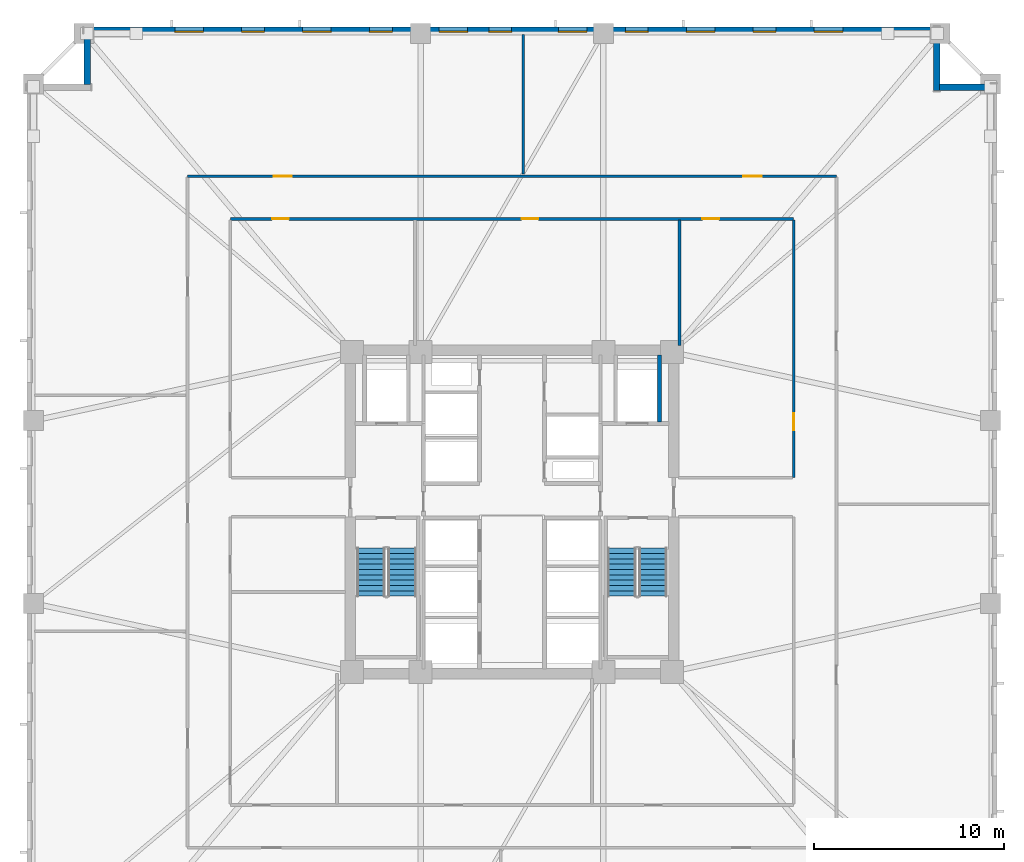
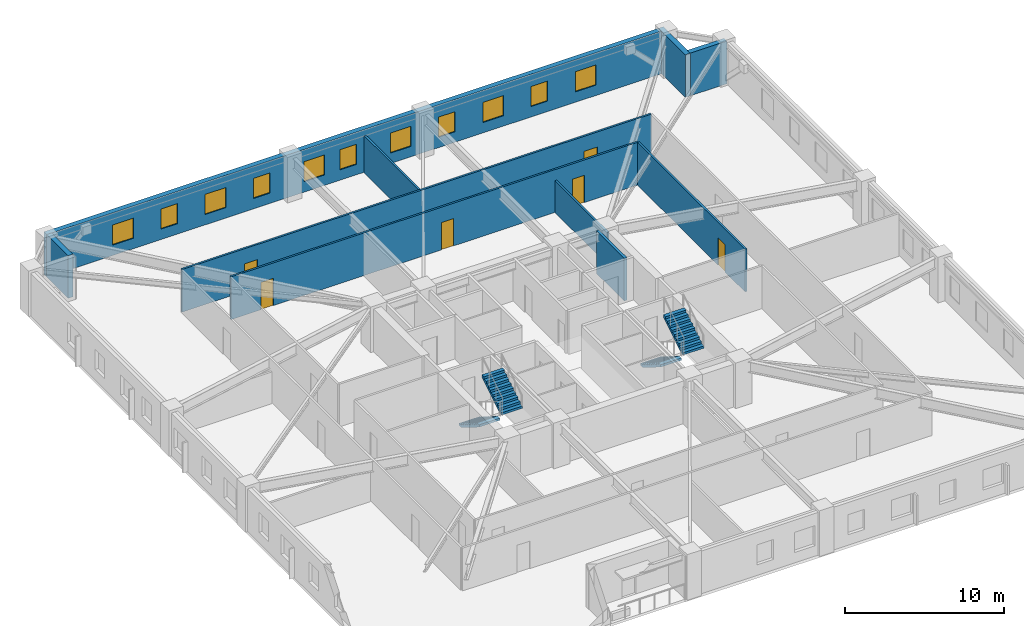
# One storey, part 5 of 10: 11 windows, 10 walls, 6 doors, 4 stair flights, 17 openings, 2 elements without a shape of their own.
"""IFC4 building model written with IfcOpenShell, lengths in metres."""

from ifc_helpers import new_model, si_unit, direction, frame, frame_2d, origin, place, context, subcontext, project, spatial, polyline, rectangle, outline, extrude, material, layer, layer_set, type_object, element, fill, aggregate, save


model = new_model("IFC4")

# Units and contexts
model_context = context("Model", 3, precision=1e-05, world=origin(), true_north=direction((0.0, 1.0)))
body_context = subcontext(model_context, "Body", "Model", "MODEL_VIEW")
ifc_project = project(units=[si_unit("LENGTHUNIT", "METRE"), si_unit("AREAUNIT", "SQUARE_METRE"), si_unit("VOLUMEUNIT", "CUBIC_METRE"), si_unit("PLANEANGLEUNIT", "RADIAN"), si_unit("MASSUNIT", "GRAM", prefix="KILO")], contexts=[model_context])

# Site, building, storey
site_placement = place(None, origin())
site = spatial("IfcSite", under=ifc_project, at=site_placement, CompositionType="ELEMENT")
building_placement = place(site_placement, origin())
building = spatial("IfcBuilding", under=site, at=building_placement, Name="Cairnveth Concourse Tower", CompositionType="ELEMENT")
storey_placement = place(building_placement, frame((0.0, 0.0, 30.5)))
storey = spatial("IfcBuildingStorey", under=building, at=storey_placement, Name="L07", CompositionType="ELEMENT", Elevation=30.5)

# Wall
ifc_material_1 = material(Name="Concrete N50 (50 MPa)", Category="concrete")
ifc_layer_1 = layer(ifc_material_1, 0.199951171875)
ifc_layer_set_1 = layer_set([ifc_layer_1], Name="Concrete N50 (50 MPa)")
wall_type_1 = type_object("IfcWallType", Name="FIRE SHAFT WALL 200", PredefinedType="SOLIDWALL", material=ifc_layer_set_1)
wall_1_placement = place(storey_placement, frame((59.75, 43.735107421875, 0.0), z_axis=(0.0, 0.0, 1.0), x_axis=(0.0, 1.0, 0.0)))
element("IfcWall", 1, at=wall_1_placement, inside=storey, type_object=wall_type_1, Name="Interior Wall IW-L07-024", PredefinedType="SOLIDWALL", context=body_context, shape_type="SweptSolid", body=[
    extrude(rectangle(XDim=3.5048828125, YDim=0.199951171875, at=frame_2d((1.75244140625, 0.0))), origin(), (0.0, 0.0, 1.0), 3.280029296875),
])

# Wall, openings, doors
ifc_material_2 = material(Name="Gypsum Plasterboard Partition", Category="gypsum")
ifc_layer_2 = layer(ifc_material_2, 0.139892578125)
ifc_layer_set_2 = layer_set([ifc_layer_2], Name="Gypsum Plasterboard Partition")
wall_type_2 = type_object("IfcWallType", Name="GYPSUM STUD PARTITION 140", PredefinedType="PARTITIONING", material=ifc_layer_set_2)
wall_2_placement = place(storey_placement, frame((34.949951171875, 56.64990234375, 0.0), z_axis=(0.0, 0.0, 1.0), x_axis=(1.0, 0.0, 0.0)))
wall_2 = element("IfcWall", 2, at=wall_2_placement, inside=storey, type_object=wall_type_2, Name="Interior Wall IW-L07-038", PredefinedType="PARTITIONING", context=body_context, shape_type="SweptSolid", body=[
    extrude(rectangle(XDim=34.10009765625, YDim=0.139892578125, at=frame_2d((17.050048828125, 0.0))), origin(), (0.0, 0.0, 1.0), 3.280029296875),
])
opening_1_placement = place(wall_2_placement, frame((4.5224609375, 0.0, 0.0)))
opening_1 = element("IfcOpeningElement", 3, at=opening_1_placement, cuts=wall_2, Name="Opening ID11", PredefinedType="OPENING", context=body_context, shape_type="SweptSolid", body=[
    extrude(rectangle(XDim=0.9599609375, YDim=2.1201171875, at=frame_2d((0.47998046875, 1.06005859375))), frame((0.0, 0.079833984375, 0.0), z_axis=(0.0, -1.0, 0.0), x_axis=(1.0, 0.0, 0.0)), (0.0, 0.0, 1.0), 0.159912109375),
])
opening_2_placement = place(wall_2_placement, frame((29.202392578125, 0.0, 0.0)))
opening_2 = element("IfcOpeningElement", 4, at=opening_2_placement, cuts=wall_2, Name="Opening ID11", PredefinedType="OPENING", context=body_context, shape_type="SweptSolid", body=[
    extrude(rectangle(XDim=0.9599609375, YDim=2.1201171875, at=frame_2d((0.47998046875, 1.06005859375))), frame((0.0, 0.079833984375, 0.0), z_axis=(0.0, -1.0, 0.0), x_axis=(1.0, 0.0, 0.0)), (0.0, 0.0, 1.0), 0.159912109375),
])
ifc_material_3 = material(Name="Solid Core Hardwood Timber Leaf", Category="wood")
door_type_1 = type_object("IfcDoorType", Name="INTERIOR SINGLE DOOR 960X2150", OperationType="NOTDEFINED", PredefinedType="DOOR", material=ifc_material_3)
door_1_placement = place(opening_1_placement, origin())
door_1 = element("IfcDoor", 5, at=door_1_placement, inside=storey, type_object=door_type_1, Name="Office Door L07-N1", OperationType="SINGLE_SWING_RIGHT", OverallHeight=2.1201171875, OverallWidth=0.9599609375, PredefinedType="DOOR", context=body_context, shape_type="SweptSolid", body=[
    extrude(rectangle(XDim=0.9599609375, YDim=2.1201171875, at=frame_2d((0.47998046875, 1.06005859375))), frame((0.0, 0.02490234375, 0.0), z_axis=(0.0, -1.0, 0.0), x_axis=(1.0, 0.0, 0.0)), (0.0, 0.0, 1.0), 0.050048828125),
])
fill(opening_1, door_1)
door_2_placement = place(opening_2_placement, origin())
door_2 = element("IfcDoor", 6, at=door_2_placement, inside=storey, type_object=door_type_1, Name="Office Door L07-N2", OperationType="SINGLE_SWING_LEFT", OverallHeight=2.1201171875, OverallWidth=0.9599609375, PredefinedType="DOOR", context=body_context, shape_type="SweptSolid", body=[
    extrude(rectangle(XDim=0.9599609375, YDim=2.1201171875, at=frame_2d((0.47998046875, 1.06005859375))), frame((0.0, 0.02490234375, 0.0), z_axis=(0.0, -1.0, 0.0), x_axis=(1.0, 0.0, 0.0)), (0.0, 0.0, 1.0), 0.050048828125),
])
fill(opening_2, door_2)

wall_3_placement = place(storey_placement, frame((37.199951171875, 54.39990234375, 0.0), z_axis=(0.0, 0.0, 1.0), x_axis=(1.0, 0.0, 0.0)))
wall_3 = element("IfcWall", 7, at=wall_3_placement, inside=storey, type_object=wall_type_2, Name="Interior Wall IW-L07-042", PredefinedType="PARTITIONING", context=body_context, shape_type="SweptSolid", body=[
    extrude(rectangle(XDim=29.60009765625, YDim=0.139892578125, at=frame_2d((14.800048828125, 0.0))), origin(), (0.0, 0.0, 1.0), 3.280029296875),
])
opening_3_placement = place(wall_3_placement, frame((2.199951171875, 0.0, 0.0)))
opening_3 = element("IfcOpeningElement", 8, at=opening_3_placement, cuts=wall_3, Name="Opening ID18", PredefinedType="OPENING", context=body_context, shape_type="SweptSolid", body=[
    extrude(rectangle(XDim=0.8798828125, YDim=2.10009765625, at=frame_2d((0.43994140625, 1.050048828125))), frame((0.0, 0.079833984375, 0.0), z_axis=(0.0, -1.0, 0.0), x_axis=(1.0, 0.0, 0.0)), (0.0, 0.0, 1.0), 0.159912109375),
])
opening_4_placement = place(wall_3_placement, frame((15.300048828125, 0.0, 0.0)))
opening_4 = element("IfcOpeningElement", 9, at=opening_4_placement, cuts=wall_3, Name="Opening ID18", PredefinedType="OPENING", context=body_context, shape_type="SweptSolid", body=[
    extrude(rectangle(XDim=0.8798828125, YDim=2.10009765625, at=frame_2d((0.43994140625, 1.050048828125))), frame((0.0, 0.079833984375, 0.0), z_axis=(0.0, -1.0, 0.0), x_axis=(1.0, 0.0, 0.0)), (0.0, 0.0, 1.0), 0.159912109375),
])
opening_5_placement = place(wall_3_placement, frame((24.800048828125, 0.0, 0.0)))
opening_5 = element("IfcOpeningElement", 10, at=opening_5_placement, cuts=wall_3, Name="Opening ID18", PredefinedType="OPENING", context=body_context, shape_type="SweptSolid", body=[
    extrude(rectangle(XDim=0.8798828125, YDim=2.10009765625, at=frame_2d((0.43994140625, 1.050048828125))), frame((0.0, 0.079833984375, 0.0), z_axis=(0.0, -1.0, 0.0), x_axis=(1.0, 0.0, 0.0)), (0.0, 0.0, 1.0), 0.159912109375),
])
door_type_2 = type_object("IfcDoorType", Name="INTERIOR SINGLE DOOR 880X2100", OperationType="NOTDEFINED", PredefinedType="DOOR", material=ifc_material_3)
door_3_placement = place(opening_3_placement, origin())
door_3 = element("IfcDoor", 11, at=door_3_placement, inside=storey, type_object=door_type_2, Name="Interior Door DR-L07-016", OperationType="SINGLE_SWING_RIGHT", OverallHeight=2.10009765625, OverallWidth=0.8798828125, PredefinedType="DOOR", context=body_context, shape_type="SweptSolid", body=[
    extrude(rectangle(XDim=0.8798828125, YDim=2.10009765625, at=frame_2d((0.43994140625, 1.050048828125))), frame((0.0, 0.02490234375, 0.0), z_axis=(0.0, -1.0, 0.0), x_axis=(1.0, 0.0, 0.0)), (0.0, 0.0, 1.0), 0.050048828125),
])
fill(opening_3, door_3)
door_4_placement = place(opening_4_placement, origin())
door_4 = element("IfcDoor", 12, at=door_4_placement, inside=storey, type_object=door_type_2, Name="Interior Door DR-L07-017", OperationType="SINGLE_SWING_LEFT", OverallHeight=2.10009765625, OverallWidth=0.8798828125, PredefinedType="DOOR", context=body_context, shape_type="SweptSolid", body=[
    extrude(rectangle(XDim=0.8798828125, YDim=2.10009765625, at=frame_2d((0.43994140625, 1.050048828125))), frame((0.0, 0.02490234375, 0.0), z_axis=(0.0, -1.0, 0.0), x_axis=(1.0, 0.0, 0.0)), (0.0, 0.0, 1.0), 0.050048828125),
])
fill(opening_4, door_4)
door_5_placement = place(opening_5_placement, origin())
door_5 = element("IfcDoor", 13, at=door_5_placement, inside=storey, type_object=door_type_2, Name="Interior Door DR-L07-018", OperationType="SINGLE_SWING_RIGHT", OverallHeight=2.10009765625, OverallWidth=0.8798828125, PredefinedType="DOOR", context=body_context, shape_type="SweptSolid", body=[
    extrude(rectangle(XDim=0.8798828125, YDim=2.10009765625, at=frame_2d((0.43994140625, 1.050048828125))), frame((0.0, 0.02490234375, 0.0), z_axis=(0.0, -1.0, 0.0), x_axis=(1.0, 0.0, 0.0)), (0.0, 0.0, 1.0), 0.050048828125),
])
fill(opening_5, door_5)

# Wall, opening, door
wall_4_placement = place(storey_placement, frame((66.800048828125, 40.800048828125, 0.0), z_axis=(0.0, 0.0, 1.0), x_axis=(0.0, 1.0, 0.0)))
wall_4 = element("IfcWall", 14, at=wall_4_placement, inside=storey, type_object=wall_type_2, Name="Interior Wall IW-L07-048", PredefinedType="PARTITIONING", context=body_context, shape_type="SweptSolid", body=[
    extrude(rectangle(XDim=13.544921875, YDim=0.139892578125, at=frame_2d((6.7724609375, 0.0))), origin(), (0.0, 0.0, 1.0), 3.280029296875),
])
opening_6_placement = place(wall_4_placement, frame((2.5, 0.0, 0.0)))
opening_6 = element("IfcOpeningElement", 15, at=opening_6_placement, cuts=wall_4, Name="Opening ID18", PredefinedType="OPENING", context=body_context, shape_type="SweptSolid", body=[
    extrude(rectangle(XDim=0.8798828125, YDim=2.10009765625, at=frame_2d((0.43994140625, 1.050048828125))), frame((0.0, 0.079833984375, 0.0), z_axis=(0.0, -1.0, 0.0), x_axis=(1.0, 0.0, 0.0)), (0.0, 0.0, 1.0), 0.159912109375),
])
door_6_placement = place(opening_6_placement, origin())
door_6 = element("IfcDoor", 16, at=door_6_placement, inside=storey, type_object=door_type_2, Name="Interior Door DR-L07-023", OperationType="SINGLE_SWING_LEFT", OverallHeight=2.10009765625, OverallWidth=0.8798828125, PredefinedType="DOOR", context=body_context, shape_type="SweptSolid", body=[
    extrude(rectangle(XDim=0.8798828125, YDim=2.10009765625, at=frame_2d((0.43994140625, 1.050048828125))), frame((0.0, 0.02490234375, 0.0), z_axis=(0.0, -1.0, 0.0), x_axis=(1.0, 0.0, 0.0)), (0.0, 0.0, 1.0), 0.050048828125),
])
fill(opening_6, door_6)

# Walls
wall_5_placement = place(storey_placement, frame((60.800048828125, 47.760009765625, 0.0), z_axis=(0.0, 0.0, 1.0), x_axis=(0.0, 1.0, 0.0)))
element("IfcWall", 17, at=wall_5_placement, inside=storey, type_object=wall_type_2, Name="Interior Wall IW-L07-054", PredefinedType="PARTITIONING", context=body_context, shape_type="SweptSolid", body=[
    extrude(rectangle(XDim=6.5849609375, YDim=0.139892578125, at=frame_2d((3.29248046875, 0.0))), origin(), (0.0, 0.0, 1.0), 2.43896484375),
])
wall_6_placement = place(storey_placement, frame((52.5849609375, 56.75, 0.0), z_axis=(0.0, 0.0, 1.0), x_axis=(0.0, 1.0, 0.0)))
element("IfcWall", 18, at=wall_6_placement, inside=storey, type_object=wall_type_2, Name="Interior Wall IW-L07-057", PredefinedType="PARTITIONING", context=body_context, shape_type="SweptSolid", body=[
    extrude(rectangle(XDim=7.330078125, YDim=0.139892578125, at=frame_2d((3.6650390625, 0.0))), origin(), (0.0, 0.0, 1.0), 2.84912109375),
])
ifc_material_4 = material(Name="Hawthorn Red-Ochre Fired Clay Brick Masonry", Category="masonry")
ifc_layer_3 = layer(ifc_material_4, 0.360107421875)
ifc_layer_set_3 = layer_set([ifc_layer_3], Name="Hawthorn Red-Ochre Fired Clay Brick Masonry")
wall_type_3 = type_object("IfcWallType", Name="ZONE 1 BRICK PIER SPANDREL WALL 360", PredefinedType="SOLIDWALL", material=ifc_layer_set_3)
wall_7_placement = place(storey_placement, frame((29.679931640625, 61.47802734375, 0.0), z_axis=(0.0, 0.0, 1.0), x_axis=(0.0, 1.0, 0.0)))
element("IfcWall", 19, at=wall_7_placement, inside=storey, type_object=wall_type_3, Name="Exterior Wall EW-L07-S05", PredefinedType="SOLIDWALL", context=body_context, shape_type="SweptSolid", body=[
    extrude(rectangle(XDim=2.68408203125, YDim=0.360107421875, at=frame_2d((1.342041015625, 0.0))), origin(), (0.0, 0.0, 1.0), 3.280029296875),
])

# Wall, openings, windows
wall_8_placement = place(storey_placement, frame((29.5, 64.320068359375, 0.0), z_axis=(0.0, 0.0, 1.0), x_axis=(1.0, 0.0, 0.0)))
wall_8 = element("IfcWall", 20, at=wall_8_placement, inside=storey, type_object=wall_type_3, Name="Exterior Wall EW-L07-S06", PredefinedType="SOLIDWALL", context=body_context, shape_type="SweptSolid", body=[
    extrude(rectangle(XDim=44.662109375, YDim=0.360107421875, at=frame_2d((22.3310546875, 0.0))), origin(), (0.0, 0.0, 1.0), 3.280029296875),
])
opening_7_placement = place(wall_8_placement, frame((4.780029296875, 0.0, 0.800048828125)))
opening_7 = element("IfcOpeningElement", 21, at=opening_7_placement, cuts=wall_8, Name="Opening W03", PredefinedType="OPENING", context=body_context, shape_type="SweptSolid", body=[
    extrude(rectangle(XDim=1.5, YDim=1.5439453125, at=frame_2d((0.75, 0.77197265625))), frame((0.0, 0.18994140625, 0.0), z_axis=(0.0, -1.0, 0.0), x_axis=(1.0, 0.0, 0.0)), (0.0, 0.0, 1.0), 0.380126953125),
])
opening_8_placement = place(wall_8_placement, frame((8.290283203125, 0.0, 0.800048828125)))
opening_8 = element("IfcOpeningElement", 22, at=opening_8_placement, cuts=wall_8, Name="Opening W01", PredefinedType="OPENING", context=body_context, shape_type="SweptSolid", body=[
    extrude(rectangle(XDim=1.199951171875, YDim=1.5439453125, at=frame_2d((0.60009765625, 0.77197265625))), frame((0.0, 0.18994140625, 0.0), z_axis=(0.0, -1.0, 0.0), x_axis=(1.0, 0.0, 0.0)), (0.0, 0.0, 1.0), 0.380126953125),
])
opening_9_placement = place(wall_8_placement, frame((11.50048828125, 0.0, 0.800048828125)))
opening_9 = element("IfcOpeningElement", 23, at=opening_9_placement, cuts=wall_8, Name="Opening W03", PredefinedType="OPENING", context=body_context, shape_type="SweptSolid", body=[
    extrude(rectangle(XDim=1.5, YDim=1.5439453125, at=frame_2d((0.75, 0.77197265625))), frame((0.0, 0.18994140625, 0.0), z_axis=(0.0, -1.0, 0.0), x_axis=(1.0, 0.0, 0.0)), (0.0, 0.0, 1.0), 0.380126953125),
])
opening_10_placement = place(wall_8_placement, frame((15.010498046875, 0.0, 0.800048828125)))
opening_10 = element("IfcOpeningElement", 24, at=opening_10_placement, cuts=wall_8, Name="Opening W01", PredefinedType="OPENING", context=body_context, shape_type="SweptSolid", body=[
    extrude(rectangle(XDim=1.199951171875, YDim=1.5439453125, at=frame_2d((0.60009765625, 0.77197265625))), frame((0.0, 0.18994140625, 0.0), z_axis=(0.0, -1.0, 0.0), x_axis=(1.0, 0.0, 0.0)), (0.0, 0.0, 1.0), 0.380126953125),
])
opening_11_placement = place(wall_8_placement, frame((18.6708984375, 0.0, 0.800048828125)))
opening_11 = element("IfcOpeningElement", 25, at=opening_11_placement, cuts=wall_8, Name="Opening W03", PredefinedType="OPENING", context=body_context, shape_type="SweptSolid", body=[
    extrude(rectangle(XDim=1.5, YDim=1.5439453125, at=frame_2d((0.75, 0.77197265625))), frame((0.0, 0.18994140625, 0.0), z_axis=(0.0, -1.0, 0.0), x_axis=(1.0, 0.0, 0.0)), (0.0, 0.0, 1.0), 0.380126953125),
])
opening_12_placement = place(wall_8_placement, frame((21.281005859375, 0.0, 0.800048828125)))
opening_12 = element("IfcOpeningElement", 26, at=opening_12_placement, cuts=wall_8, Name="Opening W01", PredefinedType="OPENING", context=body_context, shape_type="SweptSolid", body=[
    extrude(rectangle(XDim=1.199951171875, YDim=1.5439453125, at=frame_2d((0.60009765625, 0.77197265625))), frame((0.0, 0.18994140625, 0.0), z_axis=(0.0, -1.0, 0.0), x_axis=(1.0, 0.0, 0.0)), (0.0, 0.0, 1.0), 0.380126953125),
])
opening_13_placement = place(wall_8_placement, frame((24.941162109375, 0.0, 0.800048828125)))
opening_13 = element("IfcOpeningElement", 27, at=opening_13_placement, cuts=wall_8, Name="Opening W03", PredefinedType="OPENING", context=body_context, shape_type="SweptSolid", body=[
    extrude(rectangle(XDim=1.5, YDim=1.5439453125, at=frame_2d((0.75, 0.77197265625))), frame((0.0, 0.18994140625, 0.0), z_axis=(0.0, -1.0, 0.0), x_axis=(1.0, 0.0, 0.0)), (0.0, 0.0, 1.0), 0.380126953125),
])
opening_14_placement = place(wall_8_placement, frame((28.451416015625, 0.0, 0.800048828125)))
opening_14 = element("IfcOpeningElement", 28, at=opening_14_placement, cuts=wall_8, Name="Opening W01", PredefinedType="OPENING", context=body_context, shape_type="SweptSolid", body=[
    extrude(rectangle(XDim=1.199951171875, YDim=1.5439453125, at=frame_2d((0.60009765625, 0.77197265625))), frame((0.0, 0.18994140625, 0.0), z_axis=(0.0, -1.0, 0.0), x_axis=(1.0, 0.0, 0.0)), (0.0, 0.0, 1.0), 0.380126953125),
])
opening_15_placement = place(wall_8_placement, frame((31.66162109375, 0.0, 0.800048828125)))
opening_15 = element("IfcOpeningElement", 29, at=opening_15_placement, cuts=wall_8, Name="Opening W03", PredefinedType="OPENING", context=body_context, shape_type="SweptSolid", body=[
    extrude(rectangle(XDim=1.5, YDim=1.5439453125, at=frame_2d((0.75, 0.77197265625))), frame((0.0, 0.18994140625, 0.0), z_axis=(0.0, -1.0, 0.0), x_axis=(1.0, 0.0, 0.0)), (0.0, 0.0, 1.0), 0.380126953125),
])
opening_16_placement = place(wall_8_placement, frame((35.171630859375, 0.0, 0.800048828125)))
opening_16 = element("IfcOpeningElement", 30, at=opening_16_placement, cuts=wall_8, Name="Opening W01", PredefinedType="OPENING", context=body_context, shape_type="SweptSolid", body=[
    extrude(rectangle(XDim=1.199951171875, YDim=1.5439453125, at=frame_2d((0.60009765625, 0.77197265625))), frame((0.0, 0.18994140625, 0.0), z_axis=(0.0, -1.0, 0.0), x_axis=(1.0, 0.0, 0.0)), (0.0, 0.0, 1.0), 0.380126953125),
])
opening_17_placement = place(wall_8_placement, frame((38.3818359375, 0.0, 0.800048828125)))
opening_17 = element("IfcOpeningElement", 31, at=opening_17_placement, cuts=wall_8, Name="Opening W03", PredefinedType="OPENING", context=body_context, shape_type="SweptSolid", body=[
    extrude(rectangle(XDim=1.5, YDim=1.5439453125, at=frame_2d((0.75, 0.77197265625))), frame((0.0, 0.18994140625, 0.0), z_axis=(0.0, -1.0, 0.0), x_axis=(1.0, 0.0, 0.0)), (0.0, 0.0, 1.0), 0.380126953125),
])
ifc_material_5 = material(Name="Double Glazed Low-E Clear Glass", Category="glass")
window_type_1 = type_object("IfcWindowType", Name="DEEP-SET GOTHIC LANCET WINDOW 1200X1800", PartitioningType="DOUBLE_PANEL_VERTICAL", PredefinedType="WINDOW", material=ifc_material_5)
window_1_placement = place(opening_8_placement, origin())
window_1 = element("IfcWindow", 32, at=window_1_placement, inside=storey, type_object=window_type_1, Name="Gothic Lancet Window L07-6-2", OverallHeight=1.5439453125, OverallWidth=1.199951171875, PartitioningType="SINGLE_PANEL", PredefinedType="WINDOW", context=body_context, shape_type="SweptSolid", body=[
    extrude(rectangle(XDim=1.199951171875, YDim=1.5439453125, at=frame_2d((0.60009765625, 0.77197265625))), frame((0.0, -0.050048828125, 0.0), z_axis=(0.0, -1.0, 0.0), x_axis=(1.0, 0.0, 0.0)), (0.0, 0.0, 1.0), 0.06005859375),
])
fill(opening_8, window_1)
window_2_placement = place(opening_10_placement, origin())
window_2 = element("IfcWindow", 33, at=window_2_placement, inside=storey, type_object=window_type_1, Name="Gothic Lancet Window L07-6-4", OverallHeight=1.5439453125, OverallWidth=1.199951171875, PartitioningType="SINGLE_PANEL", PredefinedType="WINDOW", context=body_context, shape_type="SweptSolid", body=[
    extrude(rectangle(XDim=1.199951171875, YDim=1.5439453125, at=frame_2d((0.60009765625, 0.77197265625))), frame((0.0, -0.050048828125, 0.0), z_axis=(0.0, -1.0, 0.0), x_axis=(1.0, 0.0, 0.0)), (0.0, 0.0, 1.0), 0.06005859375),
])
fill(opening_10, window_2)
window_3_placement = place(opening_12_placement, origin())
window_3 = element("IfcWindow", 34, at=window_3_placement, inside=storey, type_object=window_type_1, Name="Gothic Lancet Window L07-6-6", OverallHeight=1.5439453125, OverallWidth=1.199951171875, PartitioningType="SINGLE_PANEL", PredefinedType="WINDOW", context=body_context, shape_type="SweptSolid", body=[
    extrude(rectangle(XDim=1.199951171875, YDim=1.5439453125, at=frame_2d((0.60009765625, 0.77197265625))), frame((0.0, -0.050048828125, 0.0), z_axis=(0.0, -1.0, 0.0), x_axis=(1.0, 0.0, 0.0)), (0.0, 0.0, 1.0), 0.06005859375),
])
fill(opening_12, window_3)
window_4_placement = place(opening_14_placement, origin())
window_4 = element("IfcWindow", 35, at=window_4_placement, inside=storey, type_object=window_type_1, Name="Gothic Lancet Window L07-6-8", OverallHeight=1.5439453125, OverallWidth=1.199951171875, PartitioningType="SINGLE_PANEL", PredefinedType="WINDOW", context=body_context, shape_type="SweptSolid", body=[
    extrude(rectangle(XDim=1.199951171875, YDim=1.5439453125, at=frame_2d((0.60009765625, 0.77197265625))), frame((0.0, -0.050048828125, 0.0), z_axis=(0.0, -1.0, 0.0), x_axis=(1.0, 0.0, 0.0)), (0.0, 0.0, 1.0), 0.06005859375),
])
fill(opening_14, window_4)
window_5_placement = place(opening_16_placement, origin())
window_5 = element("IfcWindow", 36, at=window_5_placement, inside=storey, type_object=window_type_1, Name="Gothic Lancet Window L07-6-10", OverallHeight=1.5439453125, OverallWidth=1.199951171875, PartitioningType="SINGLE_PANEL", PredefinedType="WINDOW", context=body_context, shape_type="SweptSolid", body=[
    extrude(rectangle(XDim=1.199951171875, YDim=1.5439453125, at=frame_2d((0.60009765625, 0.77197265625))), frame((0.0, -0.050048828125, 0.0), z_axis=(0.0, -1.0, 0.0), x_axis=(1.0, 0.0, 0.0)), (0.0, 0.0, 1.0), 0.06005859375),
])
fill(opening_16, window_5)
window_type_2 = type_object("IfcWindowType", Name="DEEP-SET GOTHIC LANCET WINDOW 1500X1800", PartitioningType="DOUBLE_PANEL_VERTICAL", PredefinedType="WINDOW", material=ifc_material_5)
window_6_placement = place(opening_7_placement, origin())
window_6 = element("IfcWindow", 37, at=window_6_placement, inside=storey, type_object=window_type_2, Name="Gothic Lancet Window L07-6-1", OverallHeight=1.5439453125, OverallWidth=1.5, PartitioningType="SINGLE_PANEL", PredefinedType="WINDOW", context=body_context, shape_type="SweptSolid", body=[
    extrude(rectangle(XDim=1.5, YDim=1.5439453125, at=frame_2d((0.75, 0.77197265625))), frame((0.0, -0.050048828125, 0.0), z_axis=(0.0, -1.0, 0.0), x_axis=(1.0, 0.0, 0.0)), (0.0, 0.0, 1.0), 0.06005859375),
])
fill(opening_7, window_6)
window_7_placement = place(opening_9_placement, origin())
window_7 = element("IfcWindow", 38, at=window_7_placement, inside=storey, type_object=window_type_2, Name="Gothic Lancet Window L07-6-3", OverallHeight=1.5439453125, OverallWidth=1.5, PartitioningType="SINGLE_PANEL", PredefinedType="WINDOW", context=body_context, shape_type="SweptSolid", body=[
    extrude(rectangle(XDim=1.5, YDim=1.5439453125, at=frame_2d((0.75, 0.77197265625))), frame((0.0, -0.050048828125, 0.0), z_axis=(0.0, -1.0, 0.0), x_axis=(1.0, 0.0, 0.0)), (0.0, 0.0, 1.0), 0.06005859375),
])
fill(opening_9, window_7)
window_8_placement = place(opening_11_placement, origin())
window_8 = element("IfcWindow", 39, at=window_8_placement, inside=storey, type_object=window_type_2, Name="Gothic Lancet Window L07-6-5", OverallHeight=1.5439453125, OverallWidth=1.5, PartitioningType="SINGLE_PANEL", PredefinedType="WINDOW", context=body_context, shape_type="SweptSolid", body=[
    extrude(rectangle(XDim=1.5, YDim=1.5439453125, at=frame_2d((0.75, 0.77197265625))), frame((0.0, -0.050048828125, 0.0), z_axis=(0.0, -1.0, 0.0), x_axis=(1.0, 0.0, 0.0)), (0.0, 0.0, 1.0), 0.06005859375),
])
fill(opening_11, window_8)
window_9_placement = place(opening_13_placement, origin())
window_9 = element("IfcWindow", 40, at=window_9_placement, inside=storey, type_object=window_type_2, Name="Gothic Lancet Window L07-6-7", OverallHeight=1.5439453125, OverallWidth=1.5, PartitioningType="SINGLE_PANEL", PredefinedType="WINDOW", context=body_context, shape_type="SweptSolid", body=[
    extrude(rectangle(XDim=1.5, YDim=1.5439453125, at=frame_2d((0.75, 0.77197265625))), frame((0.0, -0.050048828125, 0.0), z_axis=(0.0, -1.0, 0.0), x_axis=(1.0, 0.0, 0.0)), (0.0, 0.0, 1.0), 0.06005859375),
])
fill(opening_13, window_9)
window_10_placement = place(opening_15_placement, origin())
window_10 = element("IfcWindow", 41, at=window_10_placement, inside=storey, type_object=window_type_2, Name="Gothic Lancet Window L07-6-9", OverallHeight=1.5439453125, OverallWidth=1.5, PartitioningType="SINGLE_PANEL", PredefinedType="WINDOW", context=body_context, shape_type="SweptSolid", body=[
    extrude(rectangle(XDim=1.5, YDim=1.5439453125, at=frame_2d((0.75, 0.77197265625))), frame((0.0, -0.050048828125, 0.0), z_axis=(0.0, -1.0, 0.0), x_axis=(1.0, 0.0, 0.0)), (0.0, 0.0, 1.0), 0.06005859375),
])
fill(opening_15, window_10)
window_11_placement = place(opening_17_placement, origin())
window_11 = element("IfcWindow", 42, at=window_11_placement, inside=storey, type_object=window_type_2, Name="Gothic Lancet Window L07-6-11", OverallHeight=1.5439453125, OverallWidth=1.5, PartitioningType="SINGLE_PANEL", PredefinedType="WINDOW", context=body_context, shape_type="SweptSolid", body=[
    extrude(rectangle(XDim=1.5, YDim=1.5439453125, at=frame_2d((0.75, 0.77197265625))), frame((0.0, -0.050048828125, 0.0), z_axis=(0.0, -1.0, 0.0), x_axis=(1.0, 0.0, 0.0)), (0.0, 0.0, 1.0), 0.06005859375),
])
fill(opening_17, window_11)

# Walls
wall_9_placement = place(storey_placement, frame((74.320068359375, 64.5, 0.0), z_axis=(0.0, 0.0, 1.0), x_axis=(0.0, -1.0, 0.0)))
element("IfcWall", 43, at=wall_9_placement, inside=storey, type_object=wall_type_3, Name="Exterior Wall EW-L07-S07", PredefinedType="SOLIDWALL", context=body_context, shape_type="SweptSolid", body=[
    extrude(rectangle(XDim=3.360107421875, YDim=0.360107421875, at=frame_2d((1.68017578125, 0.0))), origin(), (0.0, 0.0, 1.0), 3.280029296875),
])
wall_10_placement = place(storey_placement, frame((74.47802734375, 61.320068359375, 0.0), z_axis=(0.0, 0.0, 1.0), x_axis=(1.0, 0.0, 0.0)))
element("IfcWall", 44, at=wall_10_placement, inside=storey, type_object=wall_type_3, Name="Exterior Wall EW-L07-S08", PredefinedType="SOLIDWALL", context=body_context, shape_type="SweptSolid", body=[
    extrude(rectangle(XDim=2.68408203125, YDim=0.360107421875, at=frame_2d((1.342041015625, 0.0))), origin(), (0.0, 0.0, 1.0), 3.280029296875),
])

# Stair, stair flights
ifc_material_6 = material(Name="Precast concrete N50 (50 MPa)", Category="concrete")
stair_type = type_object("IfcStairType", Name="CORE DOG-LEG FIRE STAIR 1500", PredefinedType="HALF_TURN_STAIR", material=ifc_material_6)
stair_1_placement = place(storey_placement, origin())
stair_1 = element("IfcStair", 45, at=stair_1_placement, inside=storey, type_object=stair_type, Name="L07 Fire-Isolated Stair ST-1", PredefinedType="HALF_TURN_STAIR")
stair_flight_type = type_object("IfcStairFlightType", Name="PRECAST CONCRETE STAIR FLIGHT 1500", PredefinedType="STRAIGHT", material=ifc_material_6)
stair_flight_1_placement = place(storey_placement, frame((44.590087890625, 37.10009765625, 0.0), z_axis=(0.0, 0.0, 1.0), x_axis=(0.0, -1.0, 0.0)))
stair_flight_1 = element("IfcStairFlight", 46, at=stair_flight_1_placement, type_object=stair_flight_type, Name="ST-1 flight 1", NumberOfRisers=10, NumberOfTreads=9, PredefinedType="STRAIGHT", RiserHeight=0.175, TreadLength=0.28, context=body_context, shape_type="SweptSolid", body=[
    extrude(outline(polyline([(0.0, 0.0), (0.0, 0.175048828125), (0.280029296875, 0.175048828125), (0.280029296875, 0.35009765625), (0.56005859375, 0.35009765625), (0.56005859375, 0.52490234375), (0.840087890625, 0.52490234375), (0.840087890625, 0.699951171875), (1.1201171875, 0.699951171875), (1.1201171875, 0.875), (1.39990234375, 0.875), (1.39990234375, 1.050048828125), (1.679931640625, 1.050048828125), (1.679931640625, 1.22509765625), (1.9599609375, 1.22509765625), (1.9599609375, 1.39990234375), (2.239990234375, 1.39990234375), (2.239990234375, 1.574951171875), (2.52001953125, 1.574951171875), (2.52001953125, 1.75), (2.52001953125, 1.398193359375), (0.28271484375, 0.0), (0.0, 0.0)])), frame((0.0, 0.75, 0.0), z_axis=(0.0, -1.0, 0.0), x_axis=(1.0, 0.0, 0.0)), (0.0, 0.0, 1.0), 1.5),
])
stair_flight_2_placement = place(storey_placement, frame((46.22998046875, 34.580078125, 1.75), z_axis=(0.0, 0.0, 1.0), x_axis=(0.0, 1.0, 0.0)))
stair_flight_2 = element("IfcStairFlight", 47, at=stair_flight_2_placement, type_object=stair_flight_type, Name="ST-1 flight 2", NumberOfRisers=10, NumberOfTreads=9, PredefinedType="STRAIGHT", RiserHeight=0.175, TreadLength=0.28, context=body_context, shape_type="SweptSolid", body=[
    extrude(outline(polyline([(0.0, 0.0), (0.0, 0.175048828125), (0.280029296875, 0.175048828125), (0.280029296875, 0.35009765625), (0.56005859375, 0.35009765625), (0.56005859375, 0.52490234375), (0.840087890625, 0.52490234375), (0.840087890625, 0.699951171875), (1.1201171875, 0.699951171875), (1.1201171875, 0.875), (1.39990234375, 0.875), (1.39990234375, 1.050048828125), (1.679931640625, 1.050048828125), (1.679931640625, 1.22509765625), (1.9599609375, 1.22509765625), (1.9599609375, 1.39990234375), (2.239990234375, 1.39990234375), (2.239990234375, 1.574951171875), (2.52001953125, 1.574951171875), (2.52001953125, 1.75), (2.52001953125, 1.398193359375), (0.28271484375, 0.0), (0.0, 0.0)])), frame((0.0, 0.75, 0.0), z_axis=(0.0, -1.0, 0.0), x_axis=(1.0, 0.0, 0.0)), (0.0, 0.0, 1.0), 1.5),
])
aggregate(stair_1, [stair_flight_1, stair_flight_2])

stair_2_placement = place(storey_placement, origin())
stair_2 = element("IfcStair", 48, at=stair_2_placement, inside=storey, type_object=stair_type, Name="L07 Fire-Isolated Stair ST-2", PredefinedType="HALF_TURN_STAIR")
stair_flight_3_placement = place(storey_placement, frame((57.77001953125, 37.10009765625, 0.0), z_axis=(0.0, 0.0, 1.0), x_axis=(0.0, -1.0, 0.0)))
stair_flight_3 = element("IfcStairFlight", 49, at=stair_flight_3_placement, type_object=stair_flight_type, Name="ST-2 flight 1", NumberOfRisers=10, NumberOfTreads=9, PredefinedType="STRAIGHT", RiserHeight=0.175, TreadLength=0.28, context=body_context, shape_type="SweptSolid", body=[
    extrude(outline(polyline([(0.0, 0.0), (0.0, 0.175048828125), (0.280029296875, 0.175048828125), (0.280029296875, 0.35009765625), (0.56005859375, 0.35009765625), (0.56005859375, 0.52490234375), (0.840087890625, 0.52490234375), (0.840087890625, 0.699951171875), (1.1201171875, 0.699951171875), (1.1201171875, 0.875), (1.39990234375, 0.875), (1.39990234375, 1.050048828125), (1.679931640625, 1.050048828125), (1.679931640625, 1.22509765625), (1.9599609375, 1.22509765625), (1.9599609375, 1.39990234375), (2.239990234375, 1.39990234375), (2.239990234375, 1.574951171875), (2.52001953125, 1.574951171875), (2.52001953125, 1.75), (2.52001953125, 1.398193359375), (0.28271484375, 0.0), (0.0, 0.0)])), frame((0.0, 0.75, 0.0), z_axis=(0.0, -1.0, 0.0), x_axis=(1.0, 0.0, 0.0)), (0.0, 0.0, 1.0), 1.5),
])
stair_flight_4_placement = place(storey_placement, frame((59.409912109375, 34.580078125, 1.75), z_axis=(0.0, 0.0, 1.0), x_axis=(0.0, 1.0, 0.0)))
stair_flight_4 = element("IfcStairFlight", 50, at=stair_flight_4_placement, type_object=stair_flight_type, Name="ST-2 flight 2", NumberOfRisers=10, NumberOfTreads=9, PredefinedType="STRAIGHT", RiserHeight=0.175, TreadLength=0.28, context=body_context, shape_type="SweptSolid", body=[
    extrude(outline(polyline([(0.0, 0.0), (0.0, 0.175048828125), (0.280029296875, 0.175048828125), (0.280029296875, 0.35009765625), (0.56005859375, 0.35009765625), (0.56005859375, 0.52490234375), (0.840087890625, 0.52490234375), (0.840087890625, 0.699951171875), (1.1201171875, 0.699951171875), (1.1201171875, 0.875), (1.39990234375, 0.875), (1.39990234375, 1.050048828125), (1.679931640625, 1.050048828125), (1.679931640625, 1.22509765625), (1.9599609375, 1.22509765625), (1.9599609375, 1.39990234375), (2.239990234375, 1.39990234375), (2.239990234375, 1.574951171875), (2.52001953125, 1.574951171875), (2.52001953125, 1.75), (2.52001953125, 1.398193359375), (0.28271484375, 0.0), (0.0, 0.0)])), frame((0.0, 0.75, 0.0), z_axis=(0.0, -1.0, 0.0), x_axis=(1.0, 0.0, 0.0)), (0.0, 0.0, 1.0), 1.5),
])
aggregate(stair_2, [stair_flight_3, stair_flight_4])

save(model, "model.ifc")
